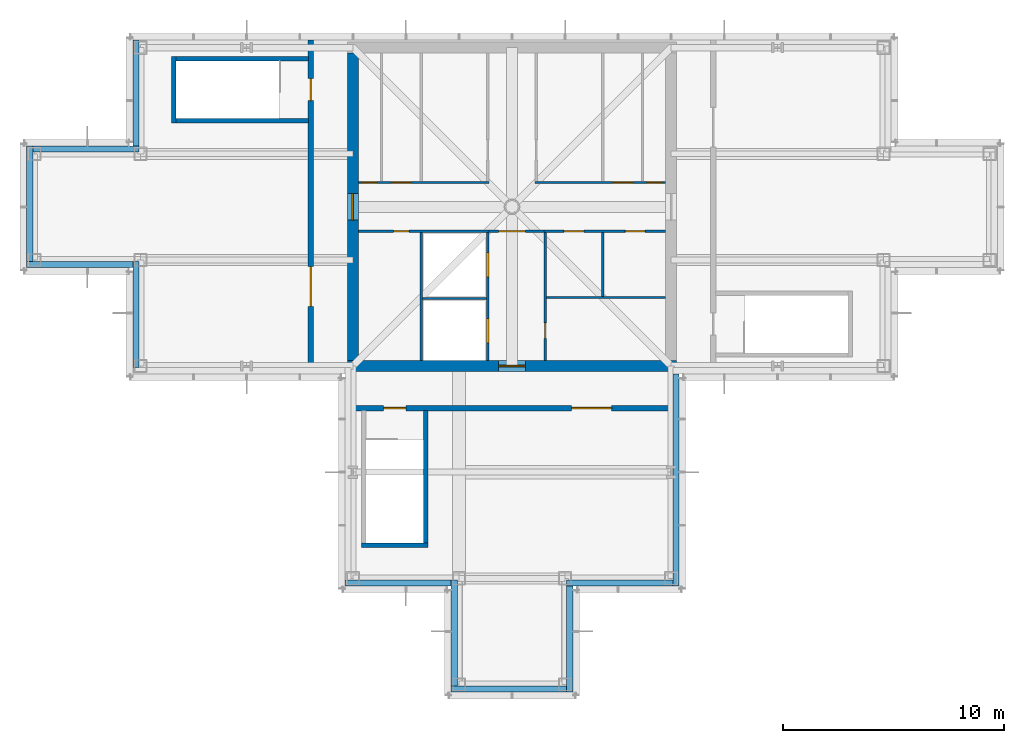
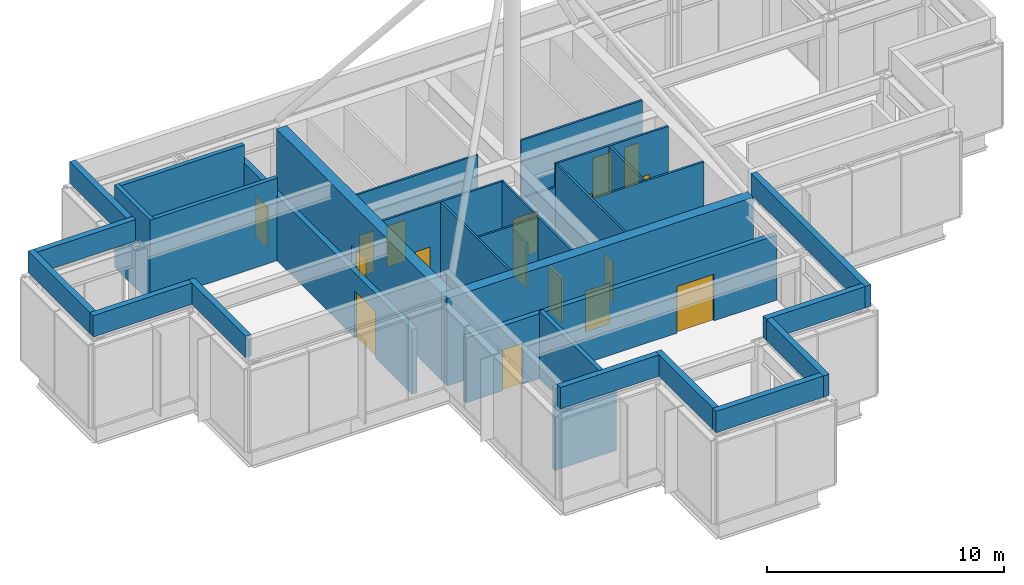
# One storey, part 8 of 10: 31 walls, 17 doors, 17 openings.
"""IFC4 building model written with IfcOpenShell, lengths in metres."""

from ifc_helpers import new_model, si_unit, direction, frame, frame_2d, origin, place, context, subcontext, project, spatial, rectangle, extrude, material, layer, layer_set, type_object, element, fill, save


model = new_model("IFC4")

# Units and contexts
model_context = context("Model", 3, precision=1e-05, world=origin(), true_north=direction((0.0, 1.0)))
body_context = subcontext(model_context, "Body", "Model", "MODEL_VIEW")
ifc_project = project(units=[si_unit("LENGTHUNIT", "METRE"), si_unit("AREAUNIT", "SQUARE_METRE"), si_unit("VOLUMEUNIT", "CUBIC_METRE"), si_unit("PLANEANGLEUNIT", "RADIAN"), si_unit("MASSUNIT", "GRAM", prefix="KILO")], contexts=[model_context])

# Site, building, storey
site_placement = place(None, origin())
site = spatial("IfcSite", under=ifc_project, at=site_placement, CompositionType="ELEMENT")
building_placement = place(site_placement, origin())
building = spatial("IfcBuilding", under=site, at=building_placement, Name="Kvirike Care Tower", CompositionType="ELEMENT")
storey_placement = place(building_placement, frame((0.0, 0.0, 248.0)))
storey = spatial("IfcBuildingStorey", under=building, at=storey_placement, Name="L68", CompositionType="ELEMENT", Elevation=248.0)

# Wall, opening, door
ifc_material_1 = material(Name="Concrete C40/50", Category="concrete")
ifc_layer_1 = layer(ifc_material_1, 0.5)
ifc_layer_set_1 = layer_set([ifc_layer_1], Name="CORE WALL 500 C40-50")
wall_type_1 = type_object("IfcWallType", Name="CORE WALL 500 C40-50", PredefinedType="SHEAR", material=ifc_layer_set_1)
wall_1_placement = place(storey_placement, frame((14.14990234375, 28.800048828125, -0.25), z_axis=(0.0, 0.0, 1.0), x_axis=(1.0, 0.0, 0.0)))
wall_1 = element("IfcWall", 1, at=wall_1_placement, inside=storey, type_object=wall_type_1, Name="Core wall S L68", PredefinedType="SHEAR", context=body_context, shape_type="SweptSolid", body=[
    extrude(rectangle(XDim=14.900146484375, YDim=0.5, at=frame_2d((7.4501953125, 0.0))), origin(), (0.0, 0.0, 1.0), 4.5),
])
opening_1_placement = place(wall_1_placement, frame((6.85009765625, 0.0, 0.25)))
opening_1 = element("IfcOpeningElement", 2, at=opening_1_placement, cuts=wall_1, Name="Opening 68-020", PredefinedType="OPENING", context=body_context, shape_type="SweptSolid", body=[
    extrude(rectangle(XDim=1.199951171875, YDim=2.10009765625, at=frame_2d((0.60009765625, 1.050048828125))), frame((0.0, 0.260498046875, 0.0), z_axis=(0.0, -1.0, 0.0), x_axis=(1.0, 0.0, 0.0)), (0.0, 0.0, 1.0), 0.52099609375),
])
ifc_material_2 = material(Name="Timber door set", Category="wood")
door_type_1 = type_object("IfcDoorType", Name="CORE DOOR 1200", OperationType="SINGLE_SWING_LEFT", PredefinedType="DOOR", material=ifc_material_2)
door_1_placement = place(opening_1_placement, origin())
door_1 = element("IfcDoor", 3, at=door_1_placement, inside=storey, type_object=door_type_1, Name="Core door S L68", OperationType="SINGLE_SWING_LEFT", OverallHeight=2.10009765625, OverallWidth=1.199951171875, PredefinedType="DOOR", context=body_context, shape_type="SweptSolid", body=[
    extrude(rectangle(XDim=1.199951171875, YDim=2.10009765625, at=frame_2d((0.60009765625, 1.050048828125))), frame((0.0, 0.02685546875, 0.0), z_axis=(0.0, -1.0, 0.0), x_axis=(1.0, 0.0, 0.0)), (0.0, 0.0, 1.0), 0.053955078125),
])
fill(opening_1, door_1)

wall_2_placement = place(storey_placement, frame((14.39990234375, 42.949951171875, -0.25), z_axis=(0.0, 0.0, 1.0), x_axis=(0.0, -1.0, 0.0)))
wall_2 = element("IfcWall", 4, at=wall_2_placement, inside=storey, type_object=wall_type_1, Name="Core wall W L68", PredefinedType="SHEAR", context=body_context, shape_type="SweptSolid", body=[
    extrude(rectangle(XDim=13.89990234375, YDim=0.5, at=frame_2d((6.949951171875, 0.0))), origin(), (0.0, 0.0, 1.0), 4.5),
])
opening_2_placement = place(wall_2_placement, frame((6.35009765625, 0.0, 0.25)))
opening_2 = element("IfcOpeningElement", 5, at=opening_2_placement, cuts=wall_2, Name="Opening 68-021", PredefinedType="OPENING", context=body_context, shape_type="SweptSolid", body=[
    extrude(rectangle(XDim=1.199951171875, YDim=2.10009765625, at=frame_2d((0.60009765625, 1.050048828125))), frame((0.0, 0.260498046875, 0.0), z_axis=(0.0, -1.0, 0.0), x_axis=(1.0, 0.0, 0.0)), (0.0, 0.0, 1.0), 0.52099609375),
])
door_2_placement = place(opening_2_placement, origin())
door_2 = element("IfcDoor", 6, at=door_2_placement, inside=storey, type_object=door_type_1, Name="Core door W L68", OperationType="SINGLE_SWING_LEFT", OverallHeight=2.10009765625, OverallWidth=1.199951171875, PredefinedType="DOOR", context=body_context, shape_type="SweptSolid", body=[
    extrude(rectangle(XDim=1.199951171875, YDim=2.10009765625, at=frame_2d((0.60009765625, 1.050048828125))), frame((0.0, 0.02685546875, 0.0), z_axis=(0.0, -1.0, 0.0), x_axis=(1.0, 0.0, 0.0)), (0.0, 0.0, 1.0), 0.053955078125),
])
fill(opening_2, door_2)

# Walls
ifc_material_3 = material(Name="Bronze-clad reinforced concrete parapet", Category="concrete")
ifc_layer_2 = layer(ifc_material_3, 0.280029296875)
ifc_layer_set_2 = layer_set([ifc_layer_2], Name="PARAPET 280")
wall_type_2 = type_object("IfcWallType", Name="PARAPET 280", PredefinedType="PARAPET", material=ifc_layer_set_2)
for number, where, z_axis, x_axis, name in (
    (7, (4.590087890625, 43.550048828125, 4.5), (0.0, 0.0, 1.0), (0.0, -1.0, 0.0), "Roof parapet 8"),
    (8, (4.72998046875, 38.610107421875, 4.5), (0.0, 0.0, 1.0), (-1.0, 0.0, 0.0), "Roof parapet 9"),
):
    element("IfcWall", number, at=place(storey_placement, frame(where, z_axis=z_axis, x_axis=x_axis)), inside=storey, type_object=wall_type_2, Name=name, PredefinedType="PARAPET", context=body_context, shape_type="SweptSolid", body=[
        extrude(rectangle(XDim=4.800048828125, YDim=0.280029296875, at=frame_2d((2.39990234375, 0.0))), origin(), (0.0, 0.0, 1.0), 1.10009765625),
    ])
wall_3_placement = place(storey_placement, frame((-0.2099609375, 38.75, 4.5), z_axis=(0.0, 0.0, 1.0), x_axis=(0.0, -1.0, 0.0)))
element("IfcWall", 9, at=wall_3_placement, inside=storey, type_object=wall_type_2, Name="Roof parapet 10", PredefinedType="PARAPET", context=body_context, shape_type="SweptSolid", body=[
    extrude(rectangle(XDim=5.219970703125, YDim=0.280029296875, at=frame_2d((2.60986328125, 0.0))), origin(), (0.0, 0.0, 1.0), 1.10009765625),
])
for number, where, z_axis, x_axis, name in (
    (10, (-0.35009765625, 33.389892578125, 4.5), (0.0, 0.0, 1.0), (1.0, 0.0, 0.0), "Roof parapet 11"),
    (11, (4.590087890625, 33.530029296875, 4.5), (0.0, 0.0, 1.0), (0.0, -1.0, 0.0), "Roof parapet 12"),
    (12, (14.050048828125, 18.989990234375, 4.5), (0.0, 0.0, 1.0), (1.0, 0.0, 0.0), "Roof parapet 15"),
):
    element("IfcWall", number, at=place(storey_placement, frame(where, z_axis=z_axis, x_axis=x_axis)), inside=storey, type_object=wall_type_2, Name=name, PredefinedType="PARAPET", context=body_context, shape_type="SweptSolid", body=[
        extrude(rectangle(XDim=4.800048828125, YDim=0.280029296875, at=frame_2d((2.39990234375, 0.0))), origin(), (0.0, 0.0, 1.0), 1.10009765625),
    ])
wall_4_placement = place(storey_placement, frame((18.989990234375, 19.1298828125, 4.5), z_axis=(0.0, 0.0, 1.0), x_axis=(0.0, -1.0, 0.0)))
element("IfcWall", 13, at=wall_4_placement, inside=storey, type_object=wall_type_2, Name="Roof parapet 16", PredefinedType="PARAPET", context=body_context, shape_type="SweptSolid", body=[
    extrude(rectangle(XDim=4.7998046875, YDim=0.280029296875, at=frame_2d((2.39990234375, 0.0))), origin(), (0.0, 0.0, 1.0), 1.10009765625),
])
wall_5_placement = place(storey_placement, frame((18.85009765625, 14.18994140625, 4.5), z_axis=(0.0, 0.0, 1.0), x_axis=(1.0, 0.0, 0.0)))
element("IfcWall", 14, at=wall_5_placement, inside=storey, type_object=wall_type_2, Name="Roof parapet 17", PredefinedType="PARAPET", context=body_context, shape_type="SweptSolid", body=[
    extrude(rectangle(XDim=5.219970703125, YDim=0.280029296875, at=frame_2d((2.60986328125, 0.0))), origin(), (0.0, 0.0, 1.0), 1.10009765625),
])
for number, where, z_axis, x_axis, name in (
    (15, (24.2099609375, 14.050048828125, 4.5), (0.0, 0.0, 1.0), (0.0, 1.0, 0.0), "Roof parapet 18"),
    (16, (24.070068359375, 18.989990234375, 4.5), (0.0, 0.0, 1.0), (1.0, 0.0, 0.0), "Roof parapet 19"),
):
    element("IfcWall", number, at=place(storey_placement, frame(where, z_axis=z_axis, x_axis=x_axis)), inside=storey, type_object=wall_type_2, Name=name, PredefinedType="PARAPET", context=body_context, shape_type="SweptSolid", body=[
        extrude(rectangle(XDim=4.800048828125, YDim=0.280029296875, at=frame_2d((2.39990234375, 0.0))), origin(), (0.0, 0.0, 1.0), 1.10009765625),
    ])
wall_6_placement = place(storey_placement, frame((29.010009765625, 18.85009765625, 4.5), z_axis=(0.0, 0.0, 1.0), x_axis=(0.0, 1.0, 0.0)))
element("IfcWall", 17, at=wall_6_placement, inside=storey, type_object=wall_type_2, Name="Roof parapet 20", PredefinedType="PARAPET", context=body_context, shape_type="SweptSolid", body=[
    extrude(rectangle(XDim=9.599853515625, YDim=0.280029296875, at=frame_2d((4.7998046875, 0.0))), origin(), (0.0, 0.0, 1.0), 1.10009765625),
])

# Wall, openings, doors
ifc_material_4 = material(Name="Concrete blockwork", Category="masonry")
ifc_layer_3 = layer(ifc_material_4, 0.25)
ifc_layer_set_3 = layer_set([ifc_layer_3], Name="PLANT ROOM WALL 250")
wall_type_3 = type_object("IfcWallType", Name="PLANT ROOM WALL 250", PredefinedType="SOLIDWALL", material=ifc_layer_set_3)
wall_7_placement = place(storey_placement, frame((12.5, 43.550048828125, 0.0), z_axis=(0.0, 0.0, 1.0), x_axis=(0.0, -1.0, 0.0)))
wall_7 = element("IfcWall", 18, at=wall_7_placement, inside=storey, type_object=wall_type_3, Name="Plant Room Wall 250 L68", PredefinedType="SOLIDWALL", context=body_context, shape_type="SweptSolid", body=[
    extrude(rectangle(XDim=15.10009765625, YDim=0.25, at=frame_2d((7.550048828125, 0.0))), origin(), (0.0, 0.0, 1.0), 3.340087890625),
])
opening_3_placement = place(wall_7_placement, frame((1.75, 0.0, 0.0)))
opening_3 = element("IfcOpeningElement", 19, at=opening_3_placement, cuts=wall_7, Name="Opening 68-001", PredefinedType="OPENING", context=body_context, shape_type="SweptSolid", body=[
    extrude(rectangle(XDim=1.0, YDim=2.10009765625, at=frame_2d((0.5, 1.050048828125))), frame((0.0, 0.135498046875, 0.0), z_axis=(0.0, -1.0, 0.0), x_axis=(1.0, 0.0, 0.0)), (0.0, 0.0, 1.0), 0.27099609375),
])
opening_4_placement = place(wall_7_placement, frame((10.25, 0.0, 0.0)))
opening_4 = element("IfcOpeningElement", 20, at=opening_4_placement, cuts=wall_7, Name="Opening 68-002", PredefinedType="OPENING", context=body_context, shape_type="SweptSolid", body=[
    extrude(rectangle(XDim=1.800048828125, YDim=2.39990234375, at=frame_2d((0.89990234375, 1.199951171875))), frame((0.0, 0.135498046875, 0.0), z_axis=(0.0, -1.0, 0.0), x_axis=(1.0, 0.0, 0.0)), (0.0, 0.0, 1.0), 0.27099609375),
])
ifc_material_5 = material(Name="Timber door set", Category="wood")
door_type_2 = type_object("IfcDoorType", Name="PLANT ROOM DOOR 1800", OperationType="DOUBLE_DOOR_SINGLE_SWING", PredefinedType="DOOR", material=ifc_material_5)
door_3_placement = place(opening_4_placement, frame((1.800048828125, 0.0, 0.0), z_axis=(0.0, 0.0, 1.0), x_axis=(-1.0, 0.0, 0.0)))
door_3 = element("IfcDoor", 21, at=door_3_placement, inside=storey, type_object=door_type_2, Name="Booster pump room door", OperationType="DOUBLE_DOOR_SINGLE_SWING", OverallHeight=2.39990234375, OverallWidth=1.800048828125, PredefinedType="DOOR", context=body_context, shape_type="SweptSolid", body=[
    extrude(rectangle(XDim=1.800048828125, YDim=2.39990234375, at=frame_2d((0.89990234375, 1.199951171875))), frame((0.0, 0.031982421875, 0.0), z_axis=(0.0, -1.0, 0.0), x_axis=(1.0, 0.0, 0.0)), (0.0, 0.0, 1.0), 0.06396484375),
])
fill(opening_4, door_3)
ifc_material_6 = material(Name="Timber door set", Category="wood")
door_type_3 = type_object("IfcDoorType", Name="STAIR DOOR 1000", OperationType="SINGLE_SWING_LEFT", PredefinedType="DOOR", material=ifc_material_6)
door_4_placement = place(opening_3_placement, frame((1.0, 0.0, 0.0), z_axis=(0.0, 0.0, 1.0), x_axis=(-1.0, 0.0, 0.0)))
door_4 = element("IfcDoor", 22, at=door_4_placement, inside=storey, type_object=door_type_3, Name="Stair 1 door", OperationType="SINGLE_SWING_RIGHT", OverallHeight=2.10009765625, OverallWidth=1.0, PredefinedType="DOOR", context=body_context, shape_type="SweptSolid", body=[
    extrude(rectangle(XDim=1.0, YDim=2.10009765625, at=frame_2d((0.5, 1.050048828125))), frame((0.0, 0.031982421875, 0.0), z_axis=(0.0, -1.0, 0.0), x_axis=(1.0, 0.0, 0.0)), (0.0, 0.0, 1.0), 0.06396484375),
])
fill(opening_3, door_4)

wall_8_placement = place(storey_placement, frame((14.050048828125, 26.89990234375, 0.0), z_axis=(0.0, 0.0, 1.0), x_axis=(1.0, 0.0, 0.0)))
wall_8 = element("IfcWall", 23, at=wall_8_placement, inside=storey, type_object=wall_type_3, Name="Plant Room Wall 250 L68", PredefinedType="SOLIDWALL", context=body_context, shape_type="SweptSolid", body=[
    extrude(rectangle(XDim=15.099853515625, YDim=0.25, at=frame_2d((7.5498046875, 0.0))), origin(), (0.0, 0.0, 1.0), 3.340087890625),
])
opening_5_placement = place(wall_8_placement, frame((1.75, 0.0, 0.0)))
opening_5 = element("IfcOpeningElement", 24, at=opening_5_placement, cuts=wall_8, Name="Opening 68-003", PredefinedType="OPENING", context=body_context, shape_type="SweptSolid", body=[
    extrude(rectangle(XDim=1.0, YDim=2.10009765625, at=frame_2d((0.5, 1.050048828125))), frame((0.0, 0.135498046875, 0.0), z_axis=(0.0, -1.0, 0.0), x_axis=(1.0, 0.0, 0.0)), (0.0, 0.0, 1.0), 0.27099609375),
])
opening_6_placement = place(wall_8_placement, frame((10.25, 0.0, 0.0)))
opening_6 = element("IfcOpeningElement", 25, at=opening_6_placement, cuts=wall_8, Name="Opening 68-004", PredefinedType="OPENING", context=body_context, shape_type="SweptSolid", body=[
    extrude(rectangle(XDim=1.800048828125, YDim=2.39990234375, at=frame_2d((0.89990234375, 1.199951171875))), frame((0.0, 0.135498046875, 0.0), z_axis=(0.0, -1.0, 0.0), x_axis=(1.0, 0.0, 0.0)), (0.0, 0.0, 1.0), 0.27099609375),
])
door_5_placement = place(opening_6_placement, frame((1.800048828125, 0.0, 0.0), z_axis=(0.0, 0.0, 1.0), x_axis=(-1.0, 0.0, 0.0)))
door_5 = element("IfcDoor", 26, at=door_5_placement, inside=storey, type_object=door_type_2, Name="Cooling plant room door", OperationType="DOUBLE_DOOR_SINGLE_SWING", OverallHeight=2.39990234375, OverallWidth=1.800048828125, PredefinedType="DOOR", context=body_context, shape_type="SweptSolid", body=[
    extrude(rectangle(XDim=1.800048828125, YDim=2.39990234375, at=frame_2d((0.89990234375, 1.199951171875))), frame((0.0, 0.031982421875, 0.0), z_axis=(0.0, -1.0, 0.0), x_axis=(1.0, 0.0, 0.0)), (0.0, 0.0, 1.0), 0.06396484375),
])
fill(opening_6, door_5)
door_6_placement = place(opening_5_placement, frame((1.0, 0.0, 0.0), z_axis=(0.0, 0.0, 1.0), x_axis=(-1.0, 0.0, 0.0)))
door_6 = element("IfcDoor", 27, at=door_6_placement, inside=storey, type_object=door_type_3, Name="Stair 5 door", OperationType="SINGLE_SWING_RIGHT", OverallHeight=2.10009765625, OverallWidth=1.0, PredefinedType="DOOR", context=body_context, shape_type="SweptSolid", body=[
    extrude(rectangle(XDim=1.0, YDim=2.10009765625, at=frame_2d((0.5, 1.050048828125))), frame((0.0, 0.031982421875, 0.0), z_axis=(0.0, -1.0, 0.0), x_axis=(1.0, 0.0, 0.0)), (0.0, 0.0, 1.0), 0.06396484375),
])
fill(opening_5, door_6)

ifc_material_7 = material(Name="Gypsum shaft wall system", Category="gypsum")
ifc_layer_4 = layer(ifc_material_7, 0.10009765625)
ifc_layer_set_4 = layer_set([ifc_layer_4], Name="SHAFT WALL 100")
wall_type_4 = type_object("IfcWallType", Name="SHAFT WALL 100", PredefinedType="SOLIDWALL", material=ifc_layer_set_4)
wall_9_placement = place(storey_placement, frame((20.5, 29.050048828125, 0.0), z_axis=(0.0, 0.0, 1.0), x_axis=(0.0, 1.0, 0.0)))
wall_9 = element("IfcWall", 28, at=wall_9_placement, inside=storey, type_object=wall_type_4, Name="Shaft Wall 100 L68", PredefinedType="SOLIDWALL", context=body_context, shape_type="SweptSolid", body=[
    extrude(rectangle(XDim=5.800048828125, YDim=0.10009765625, at=frame_2d((2.89990234375, 0.0))), origin(), (0.0, 0.0, 1.0), 4.25),
])
opening_7_placement = place(wall_9_placement, frame((0.800048828125, 0.0, 0.0)))
opening_7 = element("IfcOpeningElement", 29, at=opening_7_placement, cuts=wall_9, Name="Opening 68-007", PredefinedType="OPENING", context=body_context, shape_type="SweptSolid", body=[
    extrude(rectangle(XDim=1.10009765625, YDim=2.300048828125, at=frame_2d((0.550048828125, 1.14990234375))), frame((0.0, 0.060546875, 0.0), z_axis=(0.0, -1.0, 0.0), x_axis=(1.0, 0.0, 0.0)), (0.0, 0.0, 1.0), 0.12109375),
])
opening_8_placement = place(wall_9_placement, frame((3.77490234375, 0.0, 0.0)))
opening_8 = element("IfcOpeningElement", 30, at=opening_8_placement, cuts=wall_9, Name="Opening 68-008", PredefinedType="OPENING", context=body_context, shape_type="SweptSolid", body=[
    extrude(rectangle(XDim=1.10009765625, YDim=2.300048828125, at=frame_2d((0.550048828125, 1.14990234375))), frame((0.0, 0.060546875, 0.0), z_axis=(0.0, -1.0, 0.0), x_axis=(1.0, 0.0, 0.0)), (0.0, 0.0, 1.0), 0.12109375),
])
ifc_material_8 = material(Name="Aluminium door frame", Category="aluminium")
door_type_4 = type_object("IfcDoorType", Name="FIRE-FIGHTING LIFT LANDING DOOR 1100", OperationType="SLIDING_TO_LEFT", PredefinedType="DOOR", material=ifc_material_8)
door_7_placement = place(opening_7_placement, origin())
door_7 = element("IfcDoor", 31, at=door_7_placement, inside=storey, type_object=door_type_4, Name="Lift FF1 landing door", OperationType="SLIDING_TO_LEFT", OverallHeight=2.300048828125, OverallWidth=1.10009765625, PredefinedType="DOOR", context=body_context, shape_type="SweptSolid", body=[
    extrude(rectangle(XDim=1.10009765625, YDim=2.300048828125, at=frame_2d((0.550048828125, 1.14990234375))), frame((0.0, 0.0498046875, 0.0), z_axis=(0.0, -1.0, 0.0), x_axis=(1.0, 0.0, 0.0)), (0.0, 0.0, 1.0), 0.099609375),
])
fill(opening_7, door_7)
door_8_placement = place(opening_8_placement, origin())
door_8 = element("IfcDoor", 32, at=door_8_placement, inside=storey, type_object=door_type_4, Name="Lift FF2 landing door", OperationType="SLIDING_TO_LEFT", OverallHeight=2.300048828125, OverallWidth=1.10009765625, PredefinedType="DOOR", context=body_context, shape_type="SweptSolid", body=[
    extrude(rectangle(XDim=1.10009765625, YDim=2.300048828125, at=frame_2d((0.550048828125, 1.14990234375))), frame((0.0, 0.0498046875, 0.0), z_axis=(0.0, -1.0, 0.0), x_axis=(1.0, 0.0, 0.0)), (0.0, 0.0, 1.0), 0.099609375),
])
fill(opening_8, door_8)

# Wall, opening, door
wall_10_placement = place(storey_placement, frame((23.10009765625, 29.050048828125, 0.0), z_axis=(0.0, 0.0, 1.0), x_axis=(0.0, 1.0, 0.0)))
wall_10 = element("IfcWall", 33, at=wall_10_placement, inside=storey, type_object=wall_type_4, Name="Shaft Wall 100 L68", PredefinedType="SOLIDWALL", context=body_context, shape_type="SweptSolid", body=[
    extrude(rectangle(XDim=5.800048828125, YDim=0.10009765625, at=frame_2d((2.89990234375, 0.0))), origin(), (0.0, 0.0, 1.0), 4.25),
])
opening_9_placement = place(wall_10_placement, frame((1.0, 0.0, 0.0)))
opening_9 = element("IfcOpeningElement", 34, at=opening_9_placement, cuts=wall_10, Name="Opening 68-011", PredefinedType="OPENING", context=body_context, shape_type="SweptSolid", body=[
    extrude(rectangle(XDim=0.699951171875, YDim=2.10009765625, at=frame_2d((0.35009765625, 1.050048828125))), frame((0.0, 0.060546875, 0.0), z_axis=(0.0, -1.0, 0.0), x_axis=(1.0, 0.0, 0.0)), (0.0, 0.0, 1.0), 0.12109375),
])
ifc_material_9 = material(Name="Timber door set", Category="wood")
door_type_5 = type_object("IfcDoorType", Name="RISER DOOR 700", OperationType="SINGLE_SWING_LEFT", PredefinedType="DOOR", material=ifc_material_9)
door_9_placement = place(opening_9_placement, origin())
door_9 = element("IfcDoor", 35, at=door_9_placement, inside=storey, type_object=door_type_5, Name="Riser door", OperationType="SINGLE_SWING_RIGHT", OverallHeight=2.10009765625, OverallWidth=0.699951171875, PredefinedType="DOOR", context=body_context, shape_type="SweptSolid", body=[
    extrude(rectangle(XDim=0.699951171875, YDim=2.10009765625, at=frame_2d((0.35009765625, 1.050048828125))), frame((0.0, 0.02685546875, 0.0), z_axis=(0.0, -1.0, 0.0), x_axis=(1.0, 0.0, 0.0)), (0.0, 0.0, 1.0), 0.053955078125),
])
fill(opening_9, door_9)

wall_11_placement = place(storey_placement, frame((14.64990234375, 34.89990234375, 0.0), z_axis=(0.0, 0.0, 1.0), x_axis=(1.0, 0.0, 0.0)))
wall_11 = element("IfcWall", 36, at=wall_11_placement, inside=storey, type_object=wall_type_4, Name="Shaft Wall 100 L68", PredefinedType="SOLIDWALL", context=body_context, shape_type="SweptSolid", body=[
    extrude(rectangle(XDim=5.900146484375, YDim=0.10009765625, at=frame_2d((2.9501953125, 0.0))), origin(), (0.0, 0.0, 1.0), 4.25),
])
opening_10_placement = place(wall_11_placement, frame((1.60009765625, 0.0, 0.0)))
opening_10 = element("IfcOpeningElement", 37, at=opening_10_placement, cuts=wall_11, Name="Opening 68-012", PredefinedType="OPENING", context=body_context, shape_type="SweptSolid", body=[
    extrude(rectangle(XDim=0.699951171875, YDim=2.10009765625, at=frame_2d((0.35009765625, 1.050048828125))), frame((0.0, 0.060546875, 0.0), z_axis=(0.0, -1.0, 0.0), x_axis=(1.0, 0.0, 0.0)), (0.0, 0.0, 1.0), 0.12109375),
])
door_10_placement = place(opening_10_placement, frame((0.699951171875, 0.0, 0.0), z_axis=(0.0, 0.0, 1.0), x_axis=(-1.0, 0.0, 0.0)))
door_10 = element("IfcDoor", 38, at=door_10_placement, inside=storey, type_object=door_type_5, Name="Riser door", OperationType="SINGLE_SWING_RIGHT", OverallHeight=2.10009765625, OverallWidth=0.699951171875, PredefinedType="DOOR", context=body_context, shape_type="SweptSolid", body=[
    extrude(rectangle(XDim=0.699951171875, YDim=2.10009765625, at=frame_2d((0.35009765625, 1.050048828125))), frame((0.0, 0.02685546875, 0.0), z_axis=(0.0, -1.0, 0.0), x_axis=(1.0, 0.0, 0.0)), (0.0, 0.0, 1.0), 0.053955078125),
])
fill(opening_10, door_10)

# Wall, openings, doors
wall_12_placement = place(storey_placement, frame((23.050048828125, 34.89990234375, 0.0), z_axis=(0.0, 0.0, 1.0), x_axis=(1.0, 0.0, 0.0)))
wall_12 = element("IfcWall", 39, at=wall_12_placement, inside=storey, type_object=wall_type_4, Name="Shaft Wall 100 L68", PredefinedType="SOLIDWALL", context=body_context, shape_type="SweptSolid", body=[
    extrude(rectangle(XDim=5.5, YDim=0.10009765625, at=frame_2d((2.75, 0.0))), origin(), (0.0, 0.0, 1.0), 4.25),
])
opening_11_placement = place(wall_12_placement, frame((0.89990234375, 0.0, 0.0)))
opening_11 = element("IfcOpeningElement", 40, at=opening_11_placement, cuts=wall_12, Name="Opening 68-013", PredefinedType="OPENING", context=body_context, shape_type="SweptSolid", body=[
    extrude(rectangle(XDim=0.89990234375, YDim=2.10009765625, at=frame_2d((0.449951171875, 1.050048828125))), frame((0.0, 0.060546875, 0.0), z_axis=(0.0, -1.0, 0.0), x_axis=(1.0, 0.0, 0.0)), (0.0, 0.0, 1.0), 0.12109375),
])
opening_12_placement = place(wall_12_placement, frame((3.675048828125, 0.0, 0.0)))
opening_12 = element("IfcOpeningElement", 41, at=opening_12_placement, cuts=wall_12, Name="Opening 68-014", PredefinedType="OPENING", context=body_context, shape_type="SweptSolid", body=[
    extrude(rectangle(XDim=0.89990234375, YDim=2.10009765625, at=frame_2d((0.449951171875, 1.050048828125))), frame((0.0, 0.060546875, 0.0), z_axis=(0.0, -1.0, 0.0), x_axis=(1.0, 0.0, 0.0)), (0.0, 0.0, 1.0), 0.12109375),
])
ifc_material_10 = material(Name="Timber door set", Category="wood")
door_type_6 = type_object("IfcDoorType", Name="STORE DOOR 900", OperationType="SINGLE_SWING_LEFT", PredefinedType="DOOR", material=ifc_material_10)
door_11_placement = place(opening_11_placement, frame((0.89990234375, 0.0, 0.0), z_axis=(0.0, 0.0, 1.0), x_axis=(-1.0, 0.0, 0.0)))
door_11 = element("IfcDoor", 42, at=door_11_placement, inside=storey, type_object=door_type_6, Name="Lift machine room door", OperationType="SINGLE_SWING_LEFT", OverallHeight=2.10009765625, OverallWidth=0.89990234375, PredefinedType="DOOR", context=body_context, shape_type="SweptSolid", body=[
    extrude(rectangle(XDim=0.89990234375, YDim=2.10009765625, at=frame_2d((0.449951171875, 1.050048828125))), frame((0.0, 0.02685546875, 0.0), z_axis=(0.0, -1.0, 0.0), x_axis=(1.0, 0.0, 0.0)), (0.0, 0.0, 1.0), 0.053955078125),
])
fill(opening_11, door_11)
door_12_placement = place(opening_12_placement, frame((0.89990234375, 0.0, 0.0), z_axis=(0.0, 0.0, 1.0), x_axis=(-1.0, 0.0, 0.0)))
door_12 = element("IfcDoor", 43, at=door_12_placement, inside=storey, type_object=door_type_6, Name="Lift machine room door", OperationType="SINGLE_SWING_LEFT", OverallHeight=2.10009765625, OverallWidth=0.89990234375, PredefinedType="DOOR", context=body_context, shape_type="SweptSolid", body=[
    extrude(rectangle(XDim=0.89990234375, YDim=2.10009765625, at=frame_2d((0.449951171875, 1.050048828125))), frame((0.0, 0.02685546875, 0.0), z_axis=(0.0, -1.0, 0.0), x_axis=(1.0, 0.0, 0.0)), (0.0, 0.0, 1.0), 0.053955078125),
])
fill(opening_12, door_12)

wall_13_placement = place(storey_placement, frame((14.64990234375, 37.10009765625, 0.0), z_axis=(0.0, 0.0, 1.0), x_axis=(1.0, 0.0, 0.0)))
wall_13 = element("IfcWall", 44, at=wall_13_placement, inside=storey, type_object=wall_type_4, Name="Shaft Wall 100 L68", PredefinedType="SOLIDWALL", context=body_context, shape_type="SweptSolid", body=[
    extrude(rectangle(XDim=5.900146484375, YDim=0.10009765625, at=frame_2d((2.9501953125, 0.0))), origin(), (0.0, 0.0, 1.0), 4.25),
])
opening_13_placement = place(wall_13_placement, frame((0.14990234375, 0.0, 0.0)))
opening_13 = element("IfcOpeningElement", 45, at=opening_13_placement, cuts=wall_13, Name="Opening 68-015", PredefinedType="OPENING", context=body_context, shape_type="SweptSolid", body=[
    extrude(rectangle(XDim=0.699951171875, YDim=2.10009765625, at=frame_2d((0.35009765625, 1.050048828125))), frame((0.0, 0.060546875, 0.0), z_axis=(0.0, -1.0, 0.0), x_axis=(1.0, 0.0, 0.0)), (0.0, 0.0, 1.0), 0.12109375),
])
opening_14_placement = place(wall_13_placement, frame((1.5, 0.0, 0.0)))
opening_14 = element("IfcOpeningElement", 46, at=opening_14_placement, cuts=wall_13, Name="Opening 68-016", PredefinedType="OPENING", context=body_context, shape_type="SweptSolid", body=[
    extrude(rectangle(XDim=0.89990234375, YDim=2.10009765625, at=frame_2d((0.449951171875, 1.050048828125))), frame((0.0, 0.060546875, 0.0), z_axis=(0.0, -1.0, 0.0), x_axis=(1.0, 0.0, 0.0)), (0.0, 0.0, 1.0), 0.12109375),
])
door_13_placement = place(opening_13_placement, origin())
door_13 = element("IfcDoor", 47, at=door_13_placement, inside=storey, type_object=door_type_5, Name="Riser door", OperationType="SINGLE_SWING_LEFT", OverallHeight=2.10009765625, OverallWidth=0.699951171875, PredefinedType="DOOR", context=body_context, shape_type="SweptSolid", body=[
    extrude(rectangle(XDim=0.699951171875, YDim=2.10009765625, at=frame_2d((0.35009765625, 1.050048828125))), frame((0.0, 0.02685546875, 0.0), z_axis=(0.0, -1.0, 0.0), x_axis=(1.0, 0.0, 0.0)), (0.0, 0.0, 1.0), 0.053955078125),
])
fill(opening_13, door_13)
door_14_placement = place(opening_14_placement, origin())
door_14 = element("IfcDoor", 48, at=door_14_placement, inside=storey, type_object=door_type_6, Name="Linen store door", OperationType="SINGLE_SWING_LEFT", OverallHeight=2.10009765625, OverallWidth=0.89990234375, PredefinedType="DOOR", context=body_context, shape_type="SweptSolid", body=[
    extrude(rectangle(XDim=0.89990234375, YDim=2.10009765625, at=frame_2d((0.449951171875, 1.050048828125))), frame((0.0, 0.02685546875, 0.0), z_axis=(0.0, -1.0, 0.0), x_axis=(1.0, 0.0, 0.0)), (0.0, 0.0, 1.0), 0.053955078125),
])
fill(opening_14, door_14)

wall_14_placement = place(storey_placement, frame((22.64990234375, 37.10009765625, 0.0), z_axis=(0.0, 0.0, 1.0), x_axis=(1.0, 0.0, 0.0)))
wall_14 = element("IfcWall", 49, at=wall_14_placement, inside=storey, type_object=wall_type_4, Name="Shaft Wall 100 L68", PredefinedType="SOLIDWALL", context=body_context, shape_type="SweptSolid", body=[
    extrude(rectangle(XDim=5.900146484375, YDim=0.10009765625, at=frame_2d((2.9501953125, 0.0))), origin(), (0.0, 0.0, 1.0), 4.25),
])
opening_15_placement = place(wall_14_placement, frame((3.5, 0.0, 0.0)))
opening_15 = element("IfcOpeningElement", 50, at=opening_15_placement, cuts=wall_14, Name="Opening 68-017", PredefinedType="OPENING", context=body_context, shape_type="SweptSolid", body=[
    extrude(rectangle(XDim=0.89990234375, YDim=2.10009765625, at=frame_2d((0.449951171875, 1.050048828125))), frame((0.0, 0.060546875, 0.0), z_axis=(0.0, -1.0, 0.0), x_axis=(1.0, 0.0, 0.0)), (0.0, 0.0, 1.0), 0.12109375),
])
opening_16_placement = place(wall_14_placement, frame((5.050048828125, 0.0, 0.0)))
opening_16 = element("IfcOpeningElement", 51, at=opening_16_placement, cuts=wall_14, Name="Opening 68-018", PredefinedType="OPENING", context=body_context, shape_type="SweptSolid", body=[
    extrude(rectangle(XDim=0.699951171875, YDim=2.10009765625, at=frame_2d((0.35009765625, 1.050048828125))), frame((0.0, 0.060546875, 0.0), z_axis=(0.0, -1.0, 0.0), x_axis=(1.0, 0.0, 0.0)), (0.0, 0.0, 1.0), 0.12109375),
])
door_15_placement = place(opening_16_placement, origin())
door_15 = element("IfcDoor", 52, at=door_15_placement, inside=storey, type_object=door_type_5, Name="Riser door", OperationType="SINGLE_SWING_RIGHT", OverallHeight=2.10009765625, OverallWidth=0.699951171875, PredefinedType="DOOR", context=body_context, shape_type="SweptSolid", body=[
    extrude(rectangle(XDim=0.699951171875, YDim=2.10009765625, at=frame_2d((0.35009765625, 1.050048828125))), frame((0.0, 0.02685546875, 0.0), z_axis=(0.0, -1.0, 0.0), x_axis=(1.0, 0.0, 0.0)), (0.0, 0.0, 1.0), 0.053955078125),
])
fill(opening_16, door_15)
door_16_placement = place(opening_15_placement, origin())
door_16 = element("IfcDoor", 53, at=door_16_placement, inside=storey, type_object=door_type_6, Name="IT room door", OperationType="SINGLE_SWING_LEFT", OverallHeight=2.10009765625, OverallWidth=0.89990234375, PredefinedType="DOOR", context=body_context, shape_type="SweptSolid", body=[
    extrude(rectangle(XDim=0.89990234375, YDim=2.10009765625, at=frame_2d((0.449951171875, 1.050048828125))), frame((0.0, 0.02685546875, 0.0), z_axis=(0.0, -1.0, 0.0), x_axis=(1.0, 0.0, 0.0)), (0.0, 0.0, 1.0), 0.053955078125),
])
fill(opening_15, door_16)

# Wall, opening, door
wall_15_placement = place(storey_placement, frame((20.550048828125, 34.89990234375, 0.0), z_axis=(0.0, 0.0, 1.0), x_axis=(1.0, 0.0, 0.0)))
wall_15 = element("IfcWall", 54, at=wall_15_placement, inside=storey, type_object=wall_type_4, Name="Shaft Wall 100 L68", PredefinedType="SOLIDWALL", context=body_context, shape_type="SweptSolid", body=[
    extrude(rectangle(XDim=2.5, YDim=0.10009765625, at=frame_2d((1.25, 0.0))), origin(), (0.0, 0.0, 1.0), 3.0400390625),
])
opening_17_placement = place(wall_15_placement, frame((0.449951171875, 0.0, 0.0)))
opening_17 = element("IfcOpeningElement", 55, at=opening_17_placement, cuts=wall_15, Name="Opening 68-019", PredefinedType="OPENING", context=body_context, shape_type="SweptSolid", body=[
    extrude(rectangle(XDim=1.199951171875, YDim=2.10009765625, at=frame_2d((0.60009765625, 1.050048828125))), frame((0.0, 0.060546875, 0.0), z_axis=(0.0, -1.0, 0.0), x_axis=(1.0, 0.0, 0.0)), (0.0, 0.0, 1.0), 0.12109375),
])
door_17_placement = place(opening_17_placement, frame((1.199951171875, 0.0, 0.0), z_axis=(0.0, 0.0, 1.0), x_axis=(-1.0, 0.0, 0.0)))
door_17 = element("IfcDoor", 56, at=door_17_placement, inside=storey, type_object=door_type_1, Name="Fire-fighting lobby door", OperationType="SINGLE_SWING_LEFT", OverallHeight=2.10009765625, OverallWidth=1.199951171875, PredefinedType="DOOR", context=body_context, shape_type="SweptSolid", body=[
    extrude(rectangle(XDim=1.199951171875, YDim=2.10009765625, at=frame_2d((0.60009765625, 1.050048828125))), frame((0.0, 0.02685546875, 0.0), z_axis=(0.0, -1.0, 0.0), x_axis=(1.0, 0.0, 0.0)), (0.0, 0.0, 1.0), 0.053955078125),
])
fill(opening_17, door_17)

# Walls
wall_16_placement = place(storey_placement, frame((17.5, 29.050048828125, 0.0), z_axis=(0.0, 0.0, 1.0), x_axis=(0.0, 1.0, 0.0)))
element("IfcWall", 57, at=wall_16_placement, inside=storey, type_object=wall_type_4, Name="Shaft Wall 100 L68", PredefinedType="SOLIDWALL", context=body_context, shape_type="SweptSolid", body=[
    extrude(rectangle(XDim=5.800048828125, YDim=0.10009765625, at=frame_2d((2.89990234375, 0.0))), origin(), (0.0, 0.0, 1.0), 4.25),
])
wall_17_placement = place(storey_placement, frame((17.550048828125, 31.85009765625, 0.0), z_axis=(0.0, 0.0, 1.0), x_axis=(1.0, 0.0, 0.0)))
element("IfcWall", 58, at=wall_17_placement, inside=storey, type_object=wall_type_4, Name="Shaft Wall 100 L68", PredefinedType="SOLIDWALL", context=body_context, shape_type="SweptSolid", body=[
    extrude(rectangle(XDim=2.89990234375, YDim=0.10009765625, at=frame_2d((1.449951171875, 0.0))), origin(), (0.0, 0.0, 1.0), 4.25),
])
wall_18_placement = place(storey_placement, frame((25.699951171875, 31.949951171875, 0.0), z_axis=(0.0, 0.0, 1.0), x_axis=(0.0, 1.0, 0.0)))
element("IfcWall", 59, at=wall_18_placement, inside=storey, type_object=wall_type_4, Name="Shaft Wall 100 L68", PredefinedType="SOLIDWALL", context=body_context, shape_type="SweptSolid", body=[
    extrude(rectangle(XDim=2.900146484375, YDim=0.10009765625, at=frame_2d((1.4501953125, 0.0))), origin(), (0.0, 0.0, 1.0), 4.25),
])
wall_19_placement = place(storey_placement, frame((23.14990234375, 31.89990234375, 0.0), z_axis=(0.0, 0.0, 1.0), x_axis=(1.0, 0.0, 0.0)))
element("IfcWall", 60, at=wall_19_placement, inside=storey, type_object=wall_type_4, Name="Shaft Wall 100 L68", PredefinedType="SOLIDWALL", context=body_context, shape_type="SweptSolid", body=[
    extrude(rectangle(XDim=5.400146484375, YDim=0.10009765625, at=frame_2d((2.7001953125, 0.0))), origin(), (0.0, 0.0, 1.0), 4.25),
])
ifc_material_11 = material(Name="Concrete C40/50", Category="concrete")
ifc_layer_5 = layer(ifc_material_11, 0.199951171875)
ifc_layer_set_5 = layer_set([ifc_layer_5], Name="STAIR WALL 200")
wall_type_5 = type_object("IfcWallType", Name="STAIR WALL 200", PredefinedType="SOLIDWALL", material=ifc_layer_set_5)
for number, where, z_axis, x_axis, name in (
    (61, (6.199951171875, 42.699951171875, 0.0), (0.0, 0.0, 1.0), (1.0, 0.0, 0.0), "Stair Wall 200 L68"),
    (62, (6.199951171875, 39.89990234375, 0.0), (0.0, 0.0, 1.0), (1.0, 0.0, 0.0), "Stair Wall 200 L68"),
):
    element("IfcWall", number, at=place(storey_placement, frame(where, z_axis=z_axis, x_axis=x_axis)), inside=storey, type_object=wall_type_5, Name=name, PredefinedType="SOLIDWALL", context=body_context, shape_type="SweptSolid", body=[
        extrude(rectangle(XDim=6.199951171875, YDim=0.199951171875, at=frame_2d((3.10009765625, 0.0))), origin(), (0.0, 0.0, 1.0), 4.25),
    ])
wall_20_placement = place(storey_placement, frame((6.300048828125, 42.800048828125, 0.0), z_axis=(0.0, 0.0, 1.0), x_axis=(0.0, -1.0, 0.0)))
element("IfcWall", 63, at=wall_20_placement, inside=storey, type_object=wall_type_5, Name="Stair Wall 200 L68", PredefinedType="SOLIDWALL", context=body_context, shape_type="SweptSolid", body=[
    extrude(rectangle(XDim=3.0, YDim=0.199951171875, at=frame_2d((1.5, 0.0))), origin(), (0.0, 0.0, 1.0), 4.25),
])
wall_21_placement = place(storey_placement, frame((17.699951171875, 20.60009765625, 0.0), z_axis=(0.0, 0.0, 1.0), x_axis=(0.0, 1.0, 0.0)))
element("IfcWall", 64, at=wall_21_placement, inside=storey, type_object=wall_type_5, Name="Stair Wall 200 L68", PredefinedType="SOLIDWALL", context=body_context, shape_type="SweptSolid", body=[
    extrude(rectangle(XDim=6.199951171875, YDim=0.199951171875, at=frame_2d((3.10009765625, 0.0))), origin(), (0.0, 0.0, 1.0), 3.47802734375),
])
wall_22_placement = place(storey_placement, frame((14.800048828125, 20.699951171875, 0.0), z_axis=(0.0, 0.0, 1.0), x_axis=(1.0, 0.0, 0.0)))
element("IfcWall", 65, at=wall_22_placement, inside=storey, type_object=wall_type_5, Name="Stair Wall 200 L68", PredefinedType="SOLIDWALL", context=body_context, shape_type="SweptSolid", body=[
    extrude(rectangle(XDim=3.0, YDim=0.199951171875, at=frame_2d((1.5, 0.0))), origin(), (0.0, 0.0, 1.0), 4.25),
])

save(model, "model.ifc")
